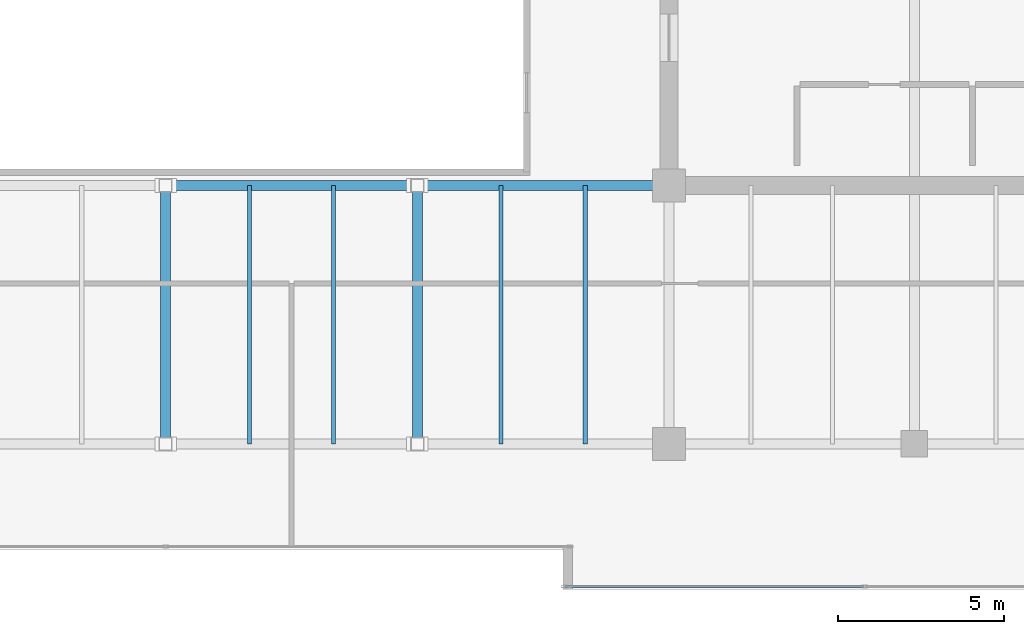
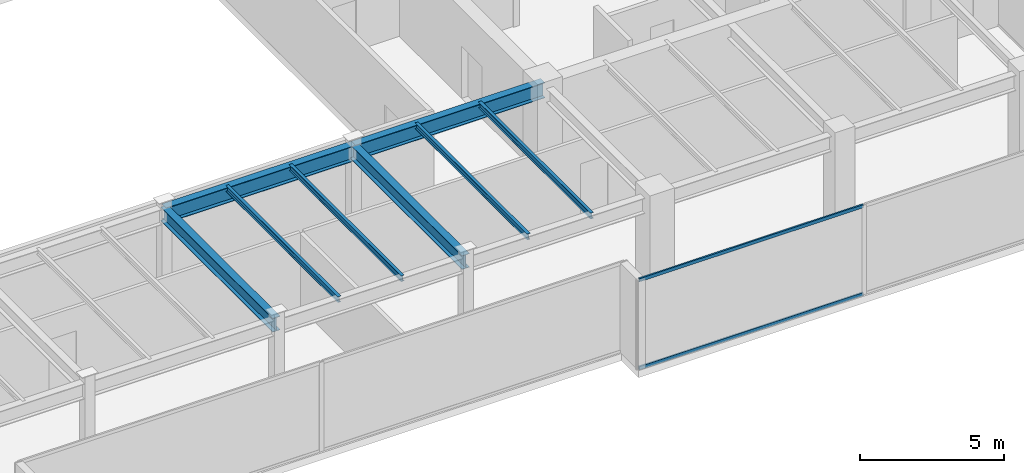
# One storey, part 12 of 33: 8 beams, 2 members, 1 element without a shape of its own.
"""IFC4 building model written with IfcOpenShell, lengths in metres."""

from ifc_helpers import new_model, si_unit, direction, frame, origin, origin_2d, place, context, subcontext, project, spatial, hollow_rectangle, i_section, extrude, source, transform, mapped, material, layer, layer_set, material_profile, profile_set, type_object, type_shapes, element, aggregate, save


model = new_model("IFC4")

# Units and contexts
model_context = context("Model", 3, precision=1e-05, world=origin(), true_north=direction((0.0, 1.0)))
body_context = subcontext(model_context, "Body", "Model", "MODEL_VIEW")
ifc_project = project(units=[si_unit("LENGTHUNIT", "METRE"), si_unit("AREAUNIT", "SQUARE_METRE"), si_unit("VOLUMEUNIT", "CUBIC_METRE"), si_unit("PLANEANGLEUNIT", "RADIAN"), si_unit("MASSUNIT", "GRAM", prefix="KILO")], contexts=[model_context])

# Site, building, storey
site_placement = place(None, origin())
site = spatial("IfcSite", under=ifc_project, at=site_placement, CompositionType="ELEMENT")
building_placement = place(site_placement, origin())
building = spatial("IfcBuilding", under=site, at=building_placement, Name="Haelvirn Gate Laboratories", CompositionType="ELEMENT")
storey_placement = place(building_placement, frame((0.0, 0.0, 287.5)))
storey = spatial("IfcBuildingStorey", under=building, at=storey_placement, Name="L69", CompositionType="ELEMENT", Elevation=287.5)

# Beams
ifc_material_1 = material(Name="Steel SM355", Category="steel")
ifc_material_profile_1 = material_profile(ifc_material_1, i_section(OverallWidth=0.300048828125, OverallDepth=0.587890625, WebThickness=0.011962890625, FlangeThickness=0.02001953125, at=origin_2d()), Name="H-588x300x12x20")
ifc_profile_set_1 = profile_set([ifc_material_profile_1], Name="Steel SM355")
beam_type_1 = type_object("IfcBeamType", Name="BM-G-588", PredefinedType="BEAM", material=ifc_profile_set_1)
shared_shape_1 = source(origin(), body_context, "Body", "SweptSolid", [
    extrude(i_section(OverallWidth=0.300048828125, OverallDepth=0.587890625, WebThickness=0.011962890625, FlangeThickness=0.02001953125, at=origin_2d()), origin(), (0.0, 0.0, 1.0), 7.800048828125),
])
type_shapes(beam_type_1, [shared_shape_1])
for number, where, z_axis, x_axis, name in (
    (1, (37.39990234375, 7.0, 3.506103515625), (0.0, 1.0, 0.0), (-1.0, 0.0, 0.0), "L69 Frame Girder X37.4 (7.0-14.8)"),
    (2, (45.0, 7.0, 3.506103515625), (0.0, 1.0, 0.0), (-1.0, 0.0, 0.0), "L69 Frame Girder X45.0 (7.0-14.8)"),
):
    element("IfcBeam", number, at=place(storey_placement, frame(where, z_axis=z_axis, x_axis=x_axis)), inside=storey, type_object=beam_type_1, Name=name, PredefinedType="BEAM", context=body_context, shape_type="MappedRepresentation", body=[
        mapped(shared_shape_1, transform((0.0, 0.0, 0.0), scale=1.0)),
    ])
ifc_material_profile_2 = material_profile(ifc_material_1, i_section(OverallWidth=0.300048828125, OverallDepth=0.64990234375, WebThickness=0.012939453125, FlangeThickness=0.02197265625, at=origin_2d()), Name="H-650x300x13x22")
ifc_profile_set_2 = profile_set([ifc_material_profile_2], Name="Steel SM355")
beam_type_2 = type_object("IfcBeamType", Name="BM-G-650", PredefinedType="BEAM", material=ifc_profile_set_2)
shared_shape_2 = source(origin(), body_context, "Body", "SweptSolid", [
    extrude(i_section(OverallWidth=0.300048828125, OverallDepth=0.64990234375, WebThickness=0.012939453125, FlangeThickness=0.02197265625, at=origin_2d()), origin(), (0.0, 0.0, 1.0), 7.60009765625),
])
type_shapes(beam_type_2, [shared_shape_2])
for number, where, z_axis, x_axis, name in (
    (3, (37.39990234375, 14.800048828125, 3.47509765625), (1.0, 0.0, 0.0), (0.0, 1.0, 0.0), "L69 Primary Girder Y14.8 (37.4-45.0)"),
    (4, (45.0, 14.800048828125, 3.47509765625), (1.0, 0.0, 0.0), (0.0, 1.0, 0.0), "L69 Primary Girder Y14.8 (45.0-52.6)"),
):
    element("IfcBeam", number, at=place(storey_placement, frame(where, z_axis=z_axis, x_axis=x_axis)), inside=storey, type_object=beam_type_2, Name=name, PredefinedType="BEAM", context=body_context, shape_type="MappedRepresentation", body=[
        mapped(shared_shape_2, transform((0.0, 0.0, 0.0), scale=1.0)),
    ])
ifc_material_profile_3 = material_profile(ifc_material_1, i_section(OverallWidth=0.125, OverallDepth=0.25, WebThickness=0.006103515625, FlangeThickness=0.009033203125, at=origin_2d()), Name="H-250x125x6x9")
ifc_profile_set_3 = profile_set([ifc_material_profile_3], Name="Steel SM355")
beam_type_3 = type_object("IfcBeamType", Name="BM-J-250", PredefinedType="JOIST", material=ifc_profile_set_3)
shared_shape_3 = source(origin(), body_context, "Body", "SweptSolid", [
    extrude(i_section(OverallWidth=0.125, OverallDepth=0.25, WebThickness=0.006103515625, FlangeThickness=0.009033203125, at=origin_2d()), origin(), (0.0, 0.0, 1.0), 7.800048828125),
])
type_shapes(beam_type_3, [shared_shape_3])
for number, where, z_axis, x_axis, name in (
    (5, (39.929931640625, 7.0, 3.675048828125), (0.0, 1.0, 0.0), (-1.0, 0.0, 0.0), "L69 Composite Lab Joist South X39.93"),
    (6, (42.469970703125, 7.0, 3.675048828125), (0.0, 1.0, 0.0), (-1.0, 0.0, 0.0), "L69 Composite Lab Joist South X42.47"),
    (7, (47.530029296875, 7.0, 3.675048828125), (0.0, 1.0, 0.0), (-1.0, 0.0, 0.0), "L69 Composite Lab Joist South X47.53"),
    (8, (50.070068359375, 7.0, 3.675048828125), (0.0, 1.0, 0.0), (-1.0, 0.0, 0.0), "L69 Composite Lab Joist South X50.07"),
):
    element("IfcBeam", number, at=place(storey_placement, frame(where, z_axis=z_axis, x_axis=x_axis)), inside=storey, type_object=beam_type_3, Name=name, PredefinedType="JOIST", context=body_context, shape_type="MappedRepresentation", body=[
        mapped(shared_shape_3, transform((0.0, 0.0, 0.0), scale=1.0)),
    ])

# Curtain wall, members
ifc_material_2 = material(Name="Anodised bronze unitised aluminium & triple low-E glass", Category="aluminium")
ifc_layer = layer(ifc_material_2, 0.176025390625, Name="CW-SYS-4")
ifc_layer_set = layer_set([ifc_layer], Name="Anodised bronze unitised aluminium & triple low-E glass")
curtain_wall_type = type_object("IfcCurtainWallType", Name="CW-SYS-4", PredefinedType="NOTDEFINED", material=ifc_layer_set)
curtain_wall_placement = place(storey_placement, origin())
curtain_wall = element("IfcCurtainWall", 9, at=curtain_wall_placement, inside=storey, type_object=curtain_wall_type, Name="L69 Unitised Curtain Wall CW-L69-P0-E04-1", PredefinedType="NOTDEFINED")
ifc_material_3 = material(Name="Extruded aluminium 6063-T6 (anodised bronze)", Category="aluminium")
ifc_material_profile_4 = material_profile(ifc_material_3, hollow_rectangle(XDim=0.06494140625, YDim=0.139892578125, WallThickness=0.00390625, at=origin_2d()), Name="CWT-140x65x4")
ifc_profile_set_4 = profile_set([ifc_material_profile_4], Name="Extruded aluminium 6063-T6 (anodised bronze)")
member_type = type_object("IfcMemberType", Name="CWT-T140", PredefinedType="USERDEFINED", material=ifc_profile_set_4)
shared_shape_4 = source(origin(), body_context, "Body", "SweptSolid", [
    extrude(hollow_rectangle(XDim=0.06494140625, YDim=0.139892578125, WallThickness=0.00390625, at=origin_2d()), origin(), (0.0, 0.0, 1.0), 8.9951171875),
])
type_shapes(member_type, [shared_shape_4])
member_1_placement = place(storey_placement, frame((49.469970703125, 2.699951171875, 0.032470703125), z_axis=(1.0, 0.0, 0.0), x_axis=(0.0, 1.0, 0.0)))
member_1 = element("IfcMember", 10, at=member_1_placement, type_object=member_type, Name="CW4 transom 1.1", ObjectType="TRANSOM", PredefinedType="USERDEFINED", context=body_context, shape_type="MappedRepresentation", body=[
    mapped(shared_shape_4, transform((0.0, 0.0, 0.0), scale=1.0)),
])
member_2_placement = place(storey_placement, frame((49.469970703125, 2.699951171875, 3.767578125), z_axis=(1.0, 0.0, 0.0), x_axis=(0.0, 1.0, 0.0)))
member_2 = element("IfcMember", 11, at=member_2_placement, type_object=member_type, Name="CW4 transom 1.2", ObjectType="TRANSOM", PredefinedType="USERDEFINED", context=body_context, shape_type="MappedRepresentation", body=[
    mapped(shared_shape_4, transform((0.0, 0.0, 0.0), scale=1.0)),
])
aggregate(curtain_wall, [member_1, member_2])

save(model, "model.ifc")
